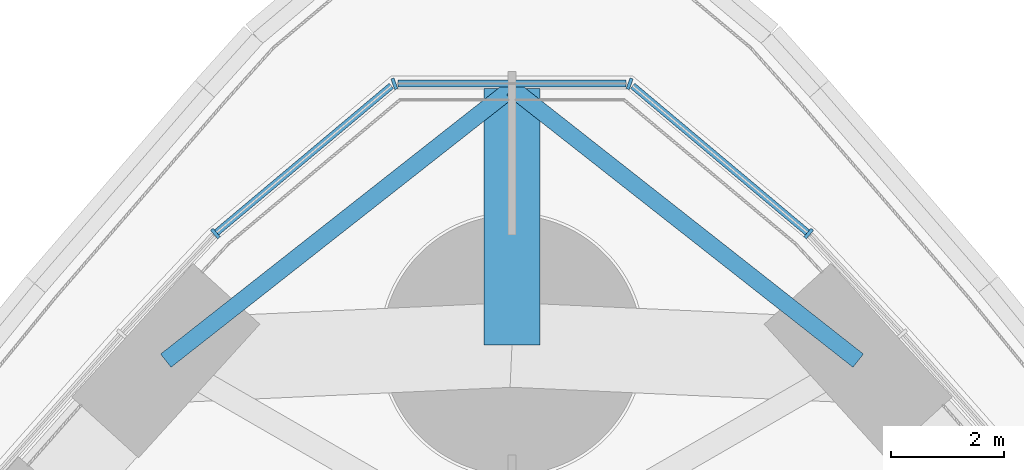
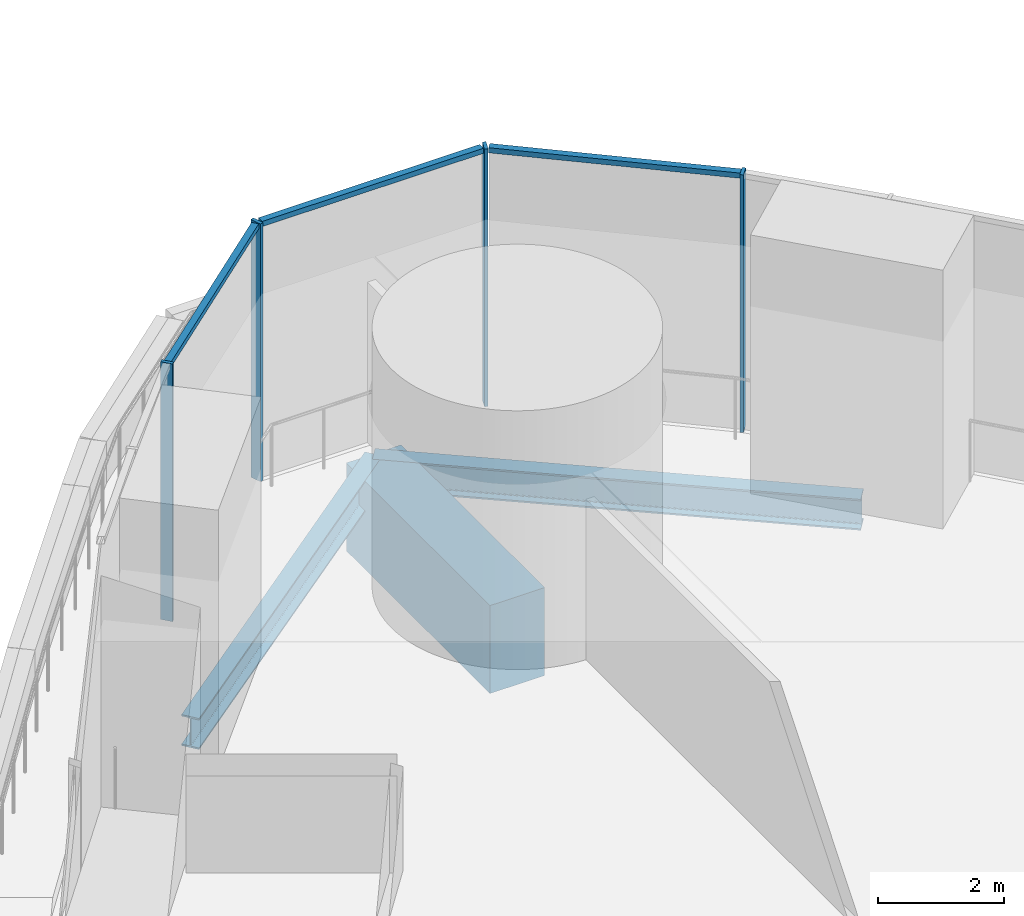
# One storey, part 11 of 33: 7 members, 3 beams, 1 element without a shape of its own.
"""IFC4 building model written with IfcOpenShell, lengths in metres."""

from ifc_helpers import new_model, si_unit, direction, frame, origin, origin_2d, place, context, subcontext, project, spatial, rectangle, i_section, extrude, material, material_profile, profile_set, type_object, element, aggregate, save


model = new_model("IFC4")

# Units and contexts
model_context = context("Model", 3, precision=1e-05, world=origin(), true_north=direction((0.0, 1.0)))
body_context = subcontext(model_context, "Body", "Model", "MODEL_VIEW")
ifc_project = project(units=[si_unit("LENGTHUNIT", "METRE"), si_unit("AREAUNIT", "SQUARE_METRE"), si_unit("VOLUMEUNIT", "CUBIC_METRE"), si_unit("PLANEANGLEUNIT", "RADIAN"), si_unit("MASSUNIT", "GRAM", prefix="KILO")], contexts=[model_context])

# Site, building, storey
site_placement = place(None, origin())
site = spatial("IfcSite", under=ifc_project, at=site_placement, CompositionType="ELEMENT")
building_placement = place(site_placement, origin())
building = spatial("IfcBuilding", under=site, at=building_placement, Name="Trefoil Bronze Tower", CompositionType="ELEMENT")
storey_placement = place(building_placement, frame((0.0, 0.0, 98.10009765625)))
storey = spatial("IfcBuildingStorey", under=building, at=storey_placement, Name="L22", CompositionType="ELEMENT", Elevation=98.10009765625)

# Curtain wall, members
ifc_material_1 = material(Name="Tinted solar-control glass", Category="glass")
curtain_wall_type = type_object("IfcCurtainWallType", Name="Bronze rounded corner curtain wall", PredefinedType="USERDEFINED", material=ifc_material_1)
curtain_wall_placement = place(storey_placement, origin())
curtain_wall = element("IfcCurtainWall", 1, at=curtain_wall_placement, inside=storey, type_object=curtain_wall_type, Name="CW-B L22 K2", ObjectType="CURTAIN WALL", PredefinedType="USERDEFINED")
ifc_material_2 = material(Name="Bronze-finish aluminium", Category="aluminium")
ifc_material_profile_1 = material_profile(ifc_material_2, rectangle(XDim=0.199951171875, YDim=0.06005859375, at=origin_2d()), Name="CW-B mullion")
ifc_profile_set_1 = profile_set([ifc_material_profile_1], Name="Bronze-finish aluminium")
member_type_1 = type_object("IfcMemberType", Name="Bronze rounded corner curtain wall mullion", PredefinedType="MULLION", material=ifc_profile_set_1)
member_1_placement = place(storey_placement, frame((5.260498046875, 36.975830078125, 0.0), z_axis=(0.0, 0.0, 1.0), x_axis=(-0.642787609687, -0.766044443119, 0.0)))
member_1 = element("IfcMember", 2, at=member_1_placement, type_object=member_type_1, Name="CW-B L22 K2 mullion 1", PredefinedType="MULLION", context=body_context, shape_type="SweptSolid", body=[
    extrude(rectangle(XDim=0.199951171875, YDim=0.06005859375, at=origin_2d()), origin(), (0.0, 0.0, 1.0), 4.97998046875),
])
member_2_placement = place(storey_placement, frame((2.08642578125, 39.631591796875, 0.0), z_axis=(0.0, 0.0, 1.0), x_axis=(-0.342020143326, -0.939692620786, 0.0)))
member_2 = element("IfcMember", 3, at=member_2_placement, type_object=member_type_1, Name="CW-B L22 K2 mullion 2", PredefinedType="MULLION", context=body_context, shape_type="SweptSolid", body=[
    extrude(rectangle(XDim=0.199951171875, YDim=0.06005859375, at=origin_2d()), origin(), (0.0, 0.0, 1.0), 4.97998046875),
])
member_3_placement = place(storey_placement, frame((-2.08642578125, 39.631591796875, 0.0), z_axis=(0.0, 0.0, 1.0), x_axis=(0.342020143326, -0.939692620786, 0.0)))
member_3 = element("IfcMember", 4, at=member_3_placement, type_object=member_type_1, Name="CW-B L22 K2 mullion 3", PredefinedType="MULLION", context=body_context, shape_type="SweptSolid", body=[
    extrude(rectangle(XDim=0.199951171875, YDim=0.06005859375, at=origin_2d()), origin(), (0.0, 0.0, 1.0), 4.97998046875),
])
member_4_placement = place(storey_placement, frame((-5.260498046875, 36.975830078125, 0.0), z_axis=(0.0, 0.0, 1.0), x_axis=(0.642787609687, -0.766044443119, 0.0)))
member_4 = element("IfcMember", 5, at=member_4_placement, type_object=member_type_1, Name="CW-B L22 K2 mullion 4", PredefinedType="MULLION", context=body_context, shape_type="SweptSolid", body=[
    extrude(rectangle(XDim=0.199951171875, YDim=0.06005859375, at=origin_2d()), origin(), (0.0, 0.0, 1.0), 4.97998046875),
])
ifc_material_3 = material(Name="Bronze-finish aluminium", Category="aluminium")
ifc_material_profile_2 = material_profile(ifc_material_3, rectangle(XDim=0.1201171875, YDim=0.10009765625, at=origin_2d()), Name="CW-B transom")
ifc_profile_set_2 = profile_set([ifc_material_profile_2], Name="Bronze-finish aluminium")
member_type_2 = type_object("IfcMemberType", Name="Bronze rounded corner curtain wall transom", PredefinedType="USERDEFINED", material=ifc_profile_set_2)
member_5_placement = place(storey_placement, frame((5.237548828125, 36.9951171875, 4.929931640625), z_axis=(-0.766049624684, 0.642781434487, 0.0), x_axis=(-0.642781434487, -0.766049624684, 0.0)))
member_5 = element("IfcMember", 6, at=member_5_placement, type_object=member_type_2, Name="CW-B L22 K2 transom 1", ObjectType="TRANSOM", PredefinedType="USERDEFINED", context=body_context, shape_type="SweptSolid", body=[
    extrude(rectangle(XDim=0.1201171875, YDim=0.10009765625, at=origin_2d()), origin(), (0.0, 0.0, 1.0), 4.04443359375),
])
member_6_placement = place(storey_placement, frame((2.022216796875, 39.637451171875, 4.929931640625), z_axis=(-1.0, 0.0, 0.0), x_axis=(0.0, -1.0, 0.0)))
member_6 = element("IfcMember", 7, at=member_6_placement, type_object=member_type_2, Name="CW-B L22 K2 transom 2", ObjectType="TRANSOM", PredefinedType="USERDEFINED", context=body_context, shape_type="SweptSolid", body=[
    extrude(rectangle(XDim=0.1201171875, YDim=0.10009765625, at=origin_2d()), origin(), (0.0, 0.0, 1.0), 4.04443359375),
])
member_7_placement = place(storey_placement, frame((-2.139404296875, 39.5947265625, 4.929931640625), z_axis=(-0.766049624684, -0.642781434487, 0.0), x_axis=(0.642781434487, -0.766049624684, 0.0)))
member_7 = element("IfcMember", 8, at=member_7_placement, type_object=member_type_2, Name="CW-B L22 K2 transom 3", ObjectType="TRANSOM", PredefinedType="USERDEFINED", context=body_context, shape_type="SweptSolid", body=[
    extrude(rectangle(XDim=0.1201171875, YDim=0.10009765625, at=origin_2d()), origin(), (0.0, 0.0, 1.0), 4.04443359375),
])
aggregate(curtain_wall, [member_1, member_2, member_3, member_4, member_5, member_6, member_7])

# Beams
ifc_material_4 = material(Name="Concrete B80", Category="concrete")
ifc_material_profile_3 = material_profile(ifc_material_4, rectangle(XDim=1.0, YDim=1.699951171875, at=origin_2d()), Name="RC 1000x1700")
ifc_profile_set_3 = profile_set([ifc_material_profile_3], Name="Concrete B80")
beam_type_1 = type_object("IfcBeamType", Name="Corner cantilever RC 1000x1700", PredefinedType="BEAM", material=ifc_profile_set_3)
beam_placement = place(storey_placement, frame((0.0, 35.0, -1.050048828125), z_axis=(0.0, 1.0, 0.0), x_axis=(-1.0, 0.0, 0.0)))
element("IfcBeam", 9, at=beam_placement, inside=storey, type_object=beam_type_1, Name="Corner cantilever K2 L22", PredefinedType="BEAM", context=body_context, shape_type="SweptSolid", body=[
    extrude(rectangle(XDim=1.0, YDim=1.699951171875, at=origin_2d()), origin(), (0.0, 0.0, 1.0), 4.54931640625),
])
ifc_material_5 = material(Name="Steel C355", Category="steel")
ifc_material_profile_4 = material_profile(ifc_material_5, i_section(OverallWidth=0.300048828125, OverallDepth=0.60009765625, WebThickness=0.015380859375, FlangeThickness=0.030029296875, FilletRadius=0.027099609375, at=origin_2d()), Name="HEB 600")
ifc_profile_set_4 = profile_set([ifc_material_profile_4], Name="Steel C355")
beam_type_2 = type_object("IfcBeamType", Name="Corner edge beam HEB 600", PredefinedType="BEAM", material=ifc_profile_set_4)
for number, where, z_axis, x_axis, name in (
    (10, (6.13916015625, 34.72119140625, -0.5), (-0.786038406433, 0.61817766347, 0.0), (-0.61817766347, -0.786038406433, 0.0), "Corner edge beam F2A L22"),
    (11, (-6.13916015625, 34.72119140625, -0.5), (0.786038406433, 0.61817766347, 0.0), (-0.61817766347, 0.786038406433, 0.0), "Corner edge beam F3B L22"),
):
    element("IfcBeam", number, at=place(storey_placement, frame(where, z_axis=z_axis, x_axis=x_axis)), inside=storey, type_object=beam_type_2, Name=name, PredefinedType="BEAM", context=body_context, shape_type="SweptSolid", body=[
        extrude(i_section(OverallWidth=0.300048828125, OverallDepth=0.60009765625, WebThickness=0.015380859375, FlangeThickness=0.030029296875, FilletRadius=0.027099609375, at=origin_2d()), origin(), (0.0, 0.0, 1.0), 7.810302734375),
    ])

save(model, "model.ifc")
